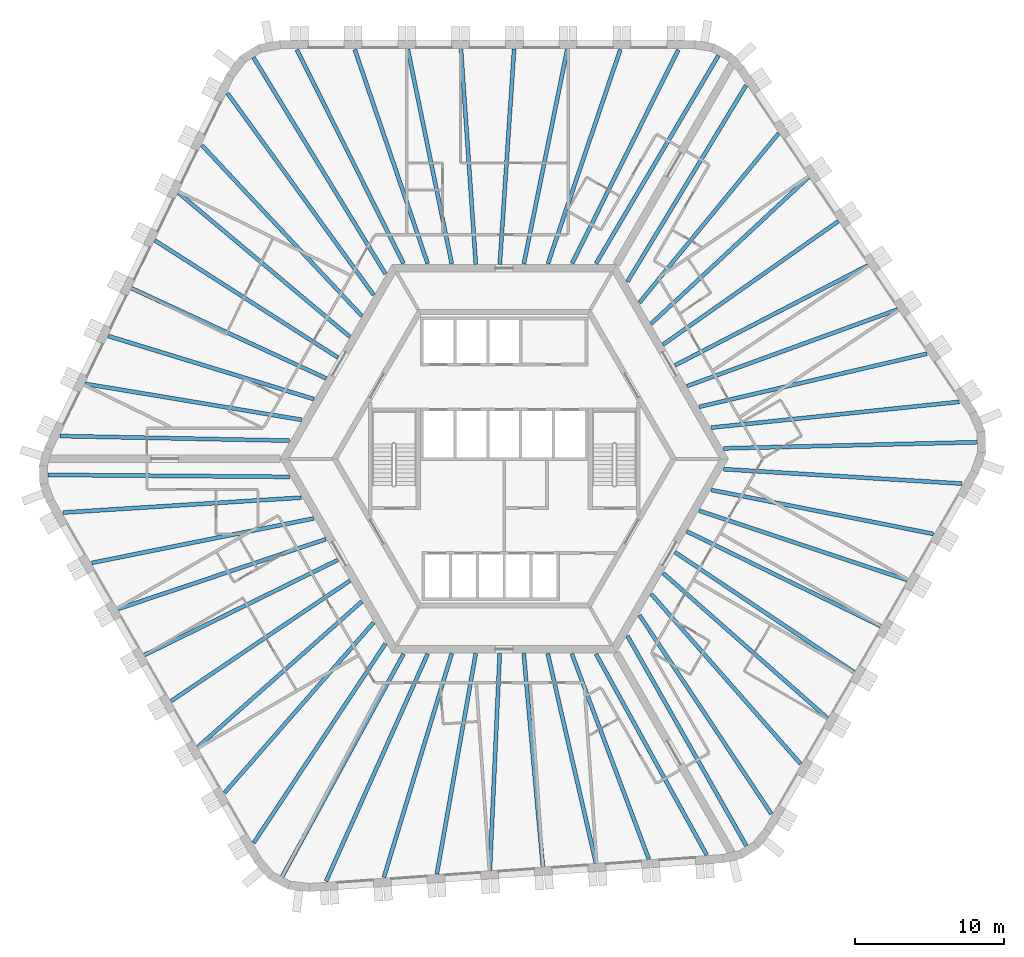
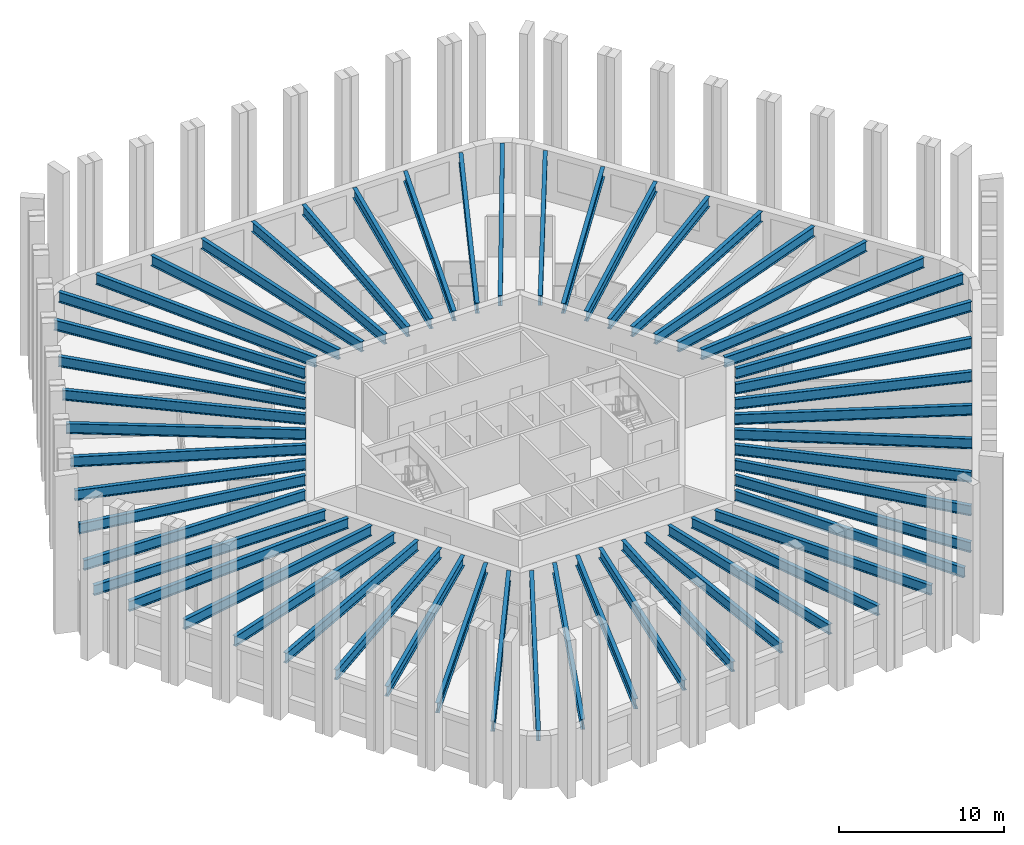
# One storey, part 1 of 10: 54 beams.
"""IFC4 building model written with IfcOpenShell, lengths in metres."""

from ifc_helpers import new_model, si_unit, direction, frame, origin, origin_2d, place, context, subcontext, project, spatial, i_section, extrude, material, material_profile, profile_set, type_object, element, save


model = new_model("IFC4")

# Units and contexts
model_context = context("Model", 3, precision=1e-05, world=origin(), true_north=direction((0.0, 1.0)))
body_context = subcontext(model_context, "Body", "Model", "MODEL_VIEW")
ifc_project = project(units=[si_unit("LENGTHUNIT", "METRE"), si_unit("AREAUNIT", "SQUARE_METRE"), si_unit("VOLUMEUNIT", "CUBIC_METRE"), si_unit("PLANEANGLEUNIT", "RADIAN"), si_unit("MASSUNIT", "GRAM", prefix="KILO")], contexts=[model_context])

# Site, building, storey
site_placement = place(None, origin())
site = spatial("IfcSite", under=ifc_project, at=site_placement, CompositionType="ELEMENT")
building_placement = place(site_placement, origin())
building = spatial("IfcBuilding", under=site, at=building_placement, Name="Tarnside Tower", CompositionType="ELEMENT")
storey_placement = place(building_placement, frame((0.0, 0.0, 195.60009765625)))
storey = spatial("IfcBuildingStorey", under=building, at=storey_placement, Name="L46", CompositionType="ELEMENT", Elevation=195.60009765625)

# Beams
ifc_material = material(Name="Steel S355", Category="steel")
ifc_material_profile_1 = material_profile(ifc_material, i_section(OverallWidth=0.26513671875, OverallDepth=0.75390625, WebThickness=0.0126953125, FlangeThickness=0.017578125, FilletRadius=0.0166015625, at=origin_2d()), Name="UB 762x267x147")
ifc_profile_set_1 = profile_set([ifc_material_profile_1], Name="Steel S355")
beam_type_1 = type_object("IfcBeamType", Name="Floor beam UB 762x267x147", PredefinedType="BEAM", material=ifc_profile_set_1)
beam_1_placement = place(storey_placement, frame((7.77001953125, 27.393310546875, 3.372802734375), z_axis=(-0.320362579778, -0.947295000239, 0.0), x_axis=(0.947295000239, -0.320362579778, 0.0)))
element("IfcBeam", 1, at=beam_1_placement, inside=storey, type_object=beam_type_1, Name="Floor beam F1.02", PredefinedType="BEAM", context=body_context, shape_type="SweptSolid", body=[
    extrude(i_section(OverallWidth=0.26513671875, OverallDepth=0.75390625, WebThickness=0.0126953125, FlangeThickness=0.017578125, FilletRadius=0.0166015625, at=origin_2d()), origin(), (0.0, 0.0, 1.0), 15.134033203125),
])
beam_2_placement = place(storey_placement, frame((4.218505859375, 27.410888671875, 3.372802734375), z_axis=(-0.19841777413, -0.980117537293, 0.0), x_axis=(0.980117537293, -0.19841777413, 0.0)))
element("IfcBeam", 2, at=beam_2_placement, inside=storey, type_object=beam_type_1, Name="Floor beam F1.03", PredefinedType="BEAM", context=body_context, shape_type="SweptSolid", body=[
    extrude(i_section(OverallWidth=0.26513671875, OverallDepth=0.75390625, WebThickness=0.0126953125, FlangeThickness=0.017578125, FilletRadius=0.0166015625, at=origin_2d()), origin(), (0.0, 0.0, 1.0), 14.6630859375),
])
beam_3_placement = place(storey_placement, frame((0.66259765625, 27.429931640625, 3.372802734375), z_axis=(-0.066554914868, -0.997782763585, 0.0), x_axis=(0.997782763585, -0.066554914868, 0.0)))
element("IfcBeam", 3, at=beam_3_placement, inside=storey, type_object=beam_type_1, Name="Floor beam F1.04", PredefinedType="BEAM", context=body_context, shape_type="SweptSolid", body=[
    extrude(i_section(OverallWidth=0.26513671875, OverallDepth=0.75390625, WebThickness=0.0126953125, FlangeThickness=0.017578125, FilletRadius=0.0166015625, at=origin_2d()), origin(), (0.0, 0.0, 1.0), 14.44189453125),
])
beam_4_placement = place(storey_placement, frame((-2.8974609375, 27.429931640625, 3.372802734375), z_axis=(0.068876921658, -0.997625164911, 0.0), x_axis=(0.997625164911, 0.068876921658, 0.0)))
element("IfcBeam", 4, at=beam_4_placement, inside=storey, type_object=beam_type_1, Name="Floor beam F1.05", PredefinedType="BEAM", context=body_context, shape_type="SweptSolid", body=[
    extrude(i_section(OverallWidth=0.26513671875, OverallDepth=0.75390625, WebThickness=0.0126953125, FlangeThickness=0.017578125, FilletRadius=0.0166015625, at=origin_2d()), origin(), (0.0, 0.0, 1.0), 14.4443359375),
])
beam_5_placement = place(storey_placement, frame((-6.45361328125, 27.410888671875, 3.372802734375), z_axis=(0.200623497398, -0.979668419564, 0.0), x_axis=(0.979668419564, 0.200623497398, 0.0)))
element("IfcBeam", 5, at=beam_5_placement, inside=storey, type_object=beam_type_1, Name="Floor beam F1.06", PredefinedType="BEAM", context=body_context, shape_type="SweptSolid", body=[
    extrude(i_section(OverallWidth=0.26513671875, OverallDepth=0.75390625, WebThickness=0.0126953125, FlangeThickness=0.017578125, FilletRadius=0.0166015625, at=origin_2d()), origin(), (0.0, 0.0, 1.0), 14.669921875),
])
beam_6_placement = place(storey_placement, frame((-10.0048828125, 27.393310546875, 3.372802734375), z_axis=(0.322343712034, -0.946622697442, 0.0), x_axis=(0.946622697442, 0.322343712034, 0.0)))
element("IfcBeam", 6, at=beam_6_placement, inside=storey, type_object=beam_type_1, Name="Floor beam F1.07", PredefinedType="BEAM", context=body_context, shape_type="SweptSolid", body=[
    extrude(i_section(OverallWidth=0.26513671875, OverallDepth=0.75390625, WebThickness=0.0126953125, FlangeThickness=0.017578125, FilletRadius=0.0166015625, at=origin_2d()), origin(), (0.0, 0.0, 1.0), 15.144775390625),
])
beam_7_placement = place(storey_placement, frame((-20.241455078125, 20.9892578125, 3.372802734375), z_axis=(0.683752330283, -0.729714156936, 0.0), x_axis=(0.729714156936, 0.683752330283, 0.0)))
element("IfcBeam", 7, at=beam_7_placement, inside=storey, type_object=beam_type_1, Name="Floor beam F2.02", PredefinedType="BEAM", context=body_context, shape_type="SweptSolid", body=[
    extrude(i_section(OverallWidth=0.26513671875, OverallDepth=0.75390625, WebThickness=0.0126953125, FlangeThickness=0.017578125, FilletRadius=0.0166015625, at=origin_2d()), origin(), (0.0, 0.0, 1.0), 15.6591796875),
])
beam_8_placement = place(storey_placement, frame((-21.81396484375, 17.80419921875, 3.372802734375), z_axis=(0.765948461073, -0.642901979294, 0.0), x_axis=(0.642901979294, 0.765948461073, 0.0)))
element("IfcBeam", 8, at=beam_8_placement, inside=storey, type_object=beam_type_1, Name="Floor beam F2.03", PredefinedType="BEAM", context=body_context, shape_type="SweptSolid", body=[
    extrude(i_section(OverallWidth=0.26513671875, OverallDepth=0.75390625, WebThickness=0.0126953125, FlangeThickness=0.017578125, FilletRadius=0.0166015625, at=origin_2d()), origin(), (0.0, 0.0, 1.0), 14.982177734375),
])
beam_9_placement = place(storey_placement, frame((-23.389892578125, 14.616455078125, 3.372802734375), z_axis=(0.842378275633, -0.538886667808, 0.0), x_axis=(0.538886667808, 0.842378275633, 0.0)))
element("IfcBeam", 9, at=beam_9_placement, inside=storey, type_object=beam_type_1, Name="Floor beam F2.04", PredefinedType="BEAM", context=body_context, shape_type="SweptSolid", body=[
    extrude(i_section(OverallWidth=0.26513671875, OverallDepth=0.75390625, WebThickness=0.0126953125, FlangeThickness=0.017578125, FilletRadius=0.0166015625, at=origin_2d()), origin(), (0.0, 0.0, 1.0), 14.5595703125),
])
beam_10_placement = place(storey_placement, frame((-24.9501953125, 11.416748046875, 3.372802734375), z_axis=(0.907310131748, -0.420462037321, 0.0), x_axis=(0.420462037321, 0.907310131748, 0.0)))
element("IfcBeam", 10, at=beam_10_placement, inside=storey, type_object=beam_type_1, Name="Floor beam F2.05", PredefinedType="BEAM", context=body_context, shape_type="SweptSolid", body=[
    extrude(i_section(OverallWidth=0.26513671875, OverallDepth=0.75390625, WebThickness=0.0126953125, FlangeThickness=0.017578125, FilletRadius=0.0166015625, at=origin_2d()), origin(), (0.0, 0.0, 1.0), 14.353515625),
])
beam_11_placement = place(storey_placement, frame((-26.510986328125, 8.2177734375, 3.372802734375), z_axis=(0.956073348261, -0.293127536654, 0.0), x_axis=(0.293127536654, 0.956073348261, 0.0)))
element("IfcBeam", 11, at=beam_11_placement, inside=storey, type_object=beam_type_1, Name="Floor beam F2.06", PredefinedType="BEAM", context=body_context, shape_type="SweptSolid", body=[
    extrude(i_section(OverallWidth=0.26513671875, OverallDepth=0.75390625, WebThickness=0.0126953125, FlangeThickness=0.017578125, FilletRadius=0.0166015625, at=origin_2d()), origin(), (0.0, 0.0, 1.0), 14.3955078125),
])
beam_12_placement = place(storey_placement, frame((-28.0517578125, 5.015869140625, 3.372802734375), z_axis=(0.986476498304, -0.163902770858, 0.0), x_axis=(0.163902770858, 0.986476498304, 0.0)))
element("IfcBeam", 12, at=beam_12_placement, inside=storey, type_object=beam_type_1, Name="Floor beam F2.07", PredefinedType="BEAM", context=body_context, shape_type="SweptSolid", body=[
    extrude(i_section(OverallWidth=0.26513671875, OverallDepth=0.75390625, WebThickness=0.0126953125, FlangeThickness=0.017578125, FilletRadius=0.0166015625, at=origin_2d()), origin(), (0.0, 0.0, 1.0), 14.680908203125),
])
beam_13_placement = place(storey_placement, frame((-29.73828125, 1.521484375, 3.372802734375), z_axis=(0.999800142641, -0.019991867701, 0.0), x_axis=(0.019991867701, 0.999800142641, 0.0)))
element("IfcBeam", 13, at=beam_13_placement, inside=storey, type_object=beam_type_1, Name="Floor beam F2.08", PredefinedType="BEAM", context=body_context, shape_type="SweptSolid", body=[
    extrude(i_section(OverallWidth=0.26513671875, OverallDepth=0.75390625, WebThickness=0.0126953125, FlangeThickness=0.017578125, FilletRadius=0.0166015625, at=origin_2d()), origin(), (0.0, 0.0, 1.0), 15.3505859375),
])
beam_14_placement = place(storey_placement, frame((-27.608154296875, -6.967529296875, 3.372802734375), z_axis=(0.980564540422, 0.196196794232, 0.0), x_axis=(-0.196196794232, 0.980564540422, 0.0)))
element("IfcBeam", 14, at=beam_14_placement, inside=storey, type_object=beam_type_1, Name="Floor beam F3.02", PredefinedType="BEAM", context=body_context, shape_type="SweptSolid", body=[
    extrude(i_section(OverallWidth=0.26513671875, OverallDepth=0.75390625, WebThickness=0.0126953125, FlangeThickness=0.017578125, FilletRadius=0.0166015625, at=origin_2d()), origin(), (0.0, 0.0, 1.0), 15.134033203125),
])
beam_15_placement = place(storey_placement, frame((-25.84765625, -10.052001953125, 3.372802734375), z_axis=(0.948011835322, 0.31823507049, 0.0), x_axis=(-0.31823507049, 0.948011835322, 0.0)))
element("IfcBeam", 15, at=beam_15_placement, inside=storey, type_object=beam_type_1, Name="Floor beam F3.03", PredefinedType="BEAM", context=body_context, shape_type="SweptSolid", body=[
    extrude(i_section(OverallWidth=0.26513671875, OverallDepth=0.75390625, WebThickness=0.0126953125, FlangeThickness=0.017578125, FilletRadius=0.0166015625, at=origin_2d()), origin(), (0.0, 0.0, 1.0), 14.662841796875),
])
beam_16_placement = place(storey_placement, frame((-24.086181640625, -13.141357421875, 3.372802734375), z_axis=(0.897375974806, 0.441266767206, 0.0), x_axis=(-0.441266767206, 0.897375974806, 0.0)))
element("IfcBeam", 16, at=beam_16_placement, inside=storey, type_object=beam_type_1, Name="Floor beam F3.04", PredefinedType="BEAM", context=body_context, shape_type="SweptSolid", body=[
    extrude(i_section(OverallWidth=0.26513671875, OverallDepth=0.75390625, WebThickness=0.0126953125, FlangeThickness=0.017578125, FilletRadius=0.0166015625, at=origin_2d()), origin(), (0.0, 0.0, 1.0), 14.442138671875),
])
beam_17_placement = place(storey_placement, frame((-22.306396484375, -16.224365234375, 3.372802734375), z_axis=(0.829532486243, 0.558458462437, 0.0), x_axis=(-0.558458462437, 0.829532486243, 0.0)))
element("IfcBeam", 17, at=beam_17_placement, inside=storey, type_object=beam_type_1, Name="Floor beam F3.05", PredefinedType="BEAM", context=body_context, shape_type="SweptSolid", body=[
    extrude(i_section(OverallWidth=0.26513671875, OverallDepth=0.75390625, WebThickness=0.0126953125, FlangeThickness=0.017578125, FilletRadius=0.0166015625, at=origin_2d()), origin(), (0.0, 0.0, 1.0), 14.444580078125),
])
beam_18_placement = place(storey_placement, frame((-20.51171875, -19.294189453125, 3.372802734375), z_axis=(0.74811408094, 0.663570133369, 0.0), x_axis=(-0.663570133369, 0.74811408094, 0.0)))
element("IfcBeam", 18, at=beam_18_placement, inside=storey, type_object=beam_type_1, Name="Floor beam F3.06", PredefinedType="BEAM", context=body_context, shape_type="SweptSolid", body=[
    extrude(i_section(OverallWidth=0.26513671875, OverallDepth=0.75390625, WebThickness=0.0126953125, FlangeThickness=0.017578125, FilletRadius=0.0166015625, at=origin_2d()), origin(), (0.0, 0.0, 1.0), 14.669677734375),
])
beam_19_placement = place(storey_placement, frame((-18.720703125, -22.361083984375, 3.372802734375), z_axis=(0.658621010302, 0.752474826681, 0.0), x_axis=(-0.752474826681, 0.658621010302, 0.0)))
element("IfcBeam", 19, at=beam_19_placement, inside=storey, type_object=beam_type_1, Name="Floor beam F3.07", PredefinedType="BEAM", context=body_context, shape_type="SweptSolid", body=[
    extrude(i_section(OverallWidth=0.26513671875, OverallDepth=0.75390625, WebThickness=0.0126953125, FlangeThickness=0.017578125, FilletRadius=0.0166015625, at=origin_2d()), origin(), (0.0, 0.0, 1.0), 15.144775390625),
])
beam_20_placement = place(storey_placement, frame((-8.056396484375, -28.024169921875, 3.372802734375), z_axis=(0.290070138838, 0.957005388989, 0.0), x_axis=(-0.957005388989, 0.290070138838, 0.0)))
element("IfcBeam", 20, at=beam_20_placement, inside=storey, type_object=beam_type_1, Name="Floor beam F4.02", PredefinedType="BEAM", context=body_context, shape_type="SweptSolid", body=[
    extrude(i_section(OverallWidth=0.26513671875, OverallDepth=0.75390625, WebThickness=0.0126953125, FlangeThickness=0.017578125, FilletRadius=0.0166015625, at=origin_2d()), origin(), (0.0, 0.0, 1.0), 15.6591796875),
])
beam_21_placement = place(storey_placement, frame((-4.511962890625, -27.793701171875, 3.372802734375), z_axis=(0.173788122681, 0.984783066678, 0.0), x_axis=(-0.984783066678, 0.173788122681, 0.0)))
element("IfcBeam", 21, at=beam_21_placement, inside=storey, type_object=beam_type_1, Name="Floor beam F4.03", PredefinedType="BEAM", context=body_context, shape_type="SweptSolid", body=[
    extrude(i_section(OverallWidth=0.26513671875, OverallDepth=0.75390625, WebThickness=0.0126953125, FlangeThickness=0.017578125, FilletRadius=0.0166015625, at=origin_2d()), origin(), (0.0, 0.0, 1.0), 14.982421875),
])
beam_22_placement = place(storey_placement, frame((-0.96337890625, -27.564453125, 3.372802734375), z_axis=(0.045509585226, 0.998963902077, 0.0), x_axis=(-0.998963902077, 0.045509585226, 0.0)))
element("IfcBeam", 22, at=beam_22_placement, inside=storey, type_object=beam_type_1, Name="Floor beam F4.04", PredefinedType="BEAM", context=body_context, shape_type="SweptSolid", body=[
    extrude(i_section(OverallWidth=0.26513671875, OverallDepth=0.75390625, WebThickness=0.0126953125, FlangeThickness=0.017578125, FilletRadius=0.0166015625, at=origin_2d()), origin(), (0.0, 0.0, 1.0), 14.5595703125),
])
beam_23_placement = place(storey_placement, frame((2.587890625, -27.31591796875, 3.372802734375), z_axis=(-0.089518916897, 0.995985122137, 0.0), x_axis=(-0.995985122137, -0.089518916897, 0.0)))
element("IfcBeam", 23, at=beam_23_placement, inside=storey, type_object=beam_type_1, Name="Floor beam F4.05", PredefinedType="BEAM", context=body_context, shape_type="SweptSolid", body=[
    extrude(i_section(OverallWidth=0.26513671875, OverallDepth=0.75390625, WebThickness=0.0126953125, FlangeThickness=0.017578125, FilletRadius=0.0166015625, at=origin_2d()), origin(), (0.0, 0.0, 1.0), 14.353515625),
])
beam_24_placement = place(storey_placement, frame((6.138671875, -27.068115234375, 3.372802734375), z_axis=(-0.224188122435, 0.974545886944, 0.0), x_axis=(-0.974545886944, -0.224188122435, 0.0)))
element("IfcBeam", 24, at=beam_24_placement, inside=storey, type_object=beam_type_1, Name="Floor beam F4.06", PredefinedType="BEAM", context=body_context, shape_type="SweptSolid", body=[
    extrude(i_section(OverallWidth=0.26513671875, OverallDepth=0.75390625, WebThickness=0.0126953125, FlangeThickness=0.017578125, FilletRadius=0.0166015625, at=origin_2d()), origin(), (0.0, 0.0, 1.0), 14.3955078125),
])
beam_25_placement = place(storey_placement, frame((9.681884765625, -26.801513671875, 3.372802734375), z_axis=(-0.351271055087, 0.936273809234, 0.0), x_axis=(-0.936273809234, -0.351271055087, 0.0)))
element("IfcBeam", 25, at=beam_25_placement, inside=storey, type_object=beam_type_1, Name="Floor beam F4.07", PredefinedType="BEAM", context=body_context, shape_type="SweptSolid", body=[
    extrude(i_section(OverallWidth=0.26513671875, OverallDepth=0.75390625, WebThickness=0.0126953125, FlangeThickness=0.017578125, FilletRadius=0.0166015625, at=origin_2d()), origin(), (0.0, 0.0, 1.0), 14.680908203125),
])
beam_26_placement = place(storey_placement, frame((13.551513671875, -26.514892578125, 3.372802734375), z_axis=(-0.482584088089, 0.875849643445, 0.0), x_axis=(-0.875849643445, -0.482584088089, 0.0)))
element("IfcBeam", 26, at=beam_26_placement, inside=storey, type_object=beam_type_1, Name="Floor beam F4.08", PredefinedType="BEAM", context=body_context, shape_type="SweptSolid", body=[
    extrude(i_section(OverallWidth=0.26513671875, OverallDepth=0.75390625, WebThickness=0.0126953125, FlangeThickness=0.017578125, FilletRadius=0.0166015625, at=origin_2d()), origin(), (0.0, 0.0, 1.0), 15.3505859375),
])
beam_27_placement = place(storey_placement, frame((19.838134765625, -20.425537109375, 3.372802734375), z_axis=(-0.660201214512, 0.751088780609, 0.0), x_axis=(-0.751088780609, -0.660201214512, 0.0)))
element("IfcBeam", 27, at=beam_27_placement, inside=storey, type_object=beam_type_1, Name="Floor beam F5.02", PredefinedType="BEAM", context=body_context, shape_type="SweptSolid", body=[
    extrude(i_section(OverallWidth=0.26513671875, OverallDepth=0.75390625, WebThickness=0.0126953125, FlangeThickness=0.017578125, FilletRadius=0.0166015625, at=origin_2d()), origin(), (0.0, 0.0, 1.0), 15.134033203125),
])
beam_28_placement = place(storey_placement, frame((21.629150390625, -17.358642578125, 3.372802734375), z_axis=(-0.749601662028, 0.661889226597, 0.0), x_axis=(-0.661889226597, -0.749601662028, 0.0)))
element("IfcBeam", 28, at=beam_28_placement, inside=storey, type_object=beam_type_1, Name="Floor beam F5.03", PredefinedType="BEAM", context=body_context, shape_type="SweptSolid", body=[
    extrude(i_section(OverallWidth=0.26513671875, OverallDepth=0.75390625, WebThickness=0.0126953125, FlangeThickness=0.017578125, FilletRadius=0.0166015625, at=origin_2d()), origin(), (0.0, 0.0, 1.0), 14.6630859375),
])
beam_29_placement = place(storey_placement, frame((23.423828125, -14.288818359375, 3.372802734375), z_axis=(-0.830825943553, 0.556532345439, 0.0), x_axis=(-0.556532345439, -0.830825943553, 0.0)))
element("IfcBeam", 29, at=beam_29_placement, inside=storey, type_object=beam_type_1, Name="Floor beam F5.04", PredefinedType="BEAM", context=body_context, shape_type="SweptSolid", body=[
    extrude(i_section(OverallWidth=0.26513671875, OverallDepth=0.75390625, WebThickness=0.0126953125, FlangeThickness=0.017578125, FilletRadius=0.0166015625, at=origin_2d()), origin(), (0.0, 0.0, 1.0), 14.4423828125),
])
beam_30_placement = place(storey_placement, frame((25.203857421875, -11.205810546875, 3.372802734375), z_axis=(-0.898407034897, 0.43916375038, 0.0), x_axis=(-0.43916375038, -0.898407034897, 0.0)))
element("IfcBeam", 30, at=beam_30_placement, inside=storey, type_object=beam_type_1, Name="Floor beam F5.05", PredefinedType="BEAM", context=body_context, shape_type="SweptSolid", body=[
    extrude(i_section(OverallWidth=0.26513671875, OverallDepth=0.75390625, WebThickness=0.0126953125, FlangeThickness=0.017578125, FilletRadius=0.0166015625, at=origin_2d()), origin(), (0.0, 0.0, 1.0), 14.444580078125),
])
beam_31_placement = place(storey_placement, frame((26.965087890625, -8.116455078125, 3.372802734375), z_axis=(-0.948728223501, 0.31609295774, 0.0), x_axis=(-0.31609295774, -0.948728223501, 0.0)))
element("IfcBeam", 31, at=beam_31_placement, inside=storey, type_object=beam_type_1, Name="Floor beam F5.06", PredefinedType="BEAM", context=body_context, shape_type="SweptSolid", body=[
    extrude(i_section(OverallWidth=0.26513671875, OverallDepth=0.75390625, WebThickness=0.0126953125, FlangeThickness=0.017578125, FilletRadius=0.0166015625, at=origin_2d()), origin(), (0.0, 0.0, 1.0), 14.669677734375),
])
beam_32_placement = place(storey_placement, frame((28.7255859375, -5.031982421875, 3.372802734375), z_axis=(-0.980974250646, 0.194137888034, 0.0), x_axis=(-0.194137888034, -0.980974250646, 0.0)))
element("IfcBeam", 32, at=beam_32_placement, inside=storey, type_object=beam_type_1, Name="Floor beam F5.07", PredefinedType="BEAM", context=body_context, shape_type="SweptSolid", body=[
    extrude(i_section(OverallWidth=0.26513671875, OverallDepth=0.75390625, WebThickness=0.0126953125, FlangeThickness=0.017578125, FilletRadius=0.0166015625, at=origin_2d()), origin(), (0.0, 0.0, 1.0), 15.144775390625),
])
beam_33_placement = place(storey_placement, frame((28.2978515625, 7.034912109375, 3.372802734375), z_axis=(-0.973828212928, -0.227285309042, 0.0), x_axis=(0.227285309042, -0.973828212928, 0.0)))
element("IfcBeam", 33, at=beam_33_placement, inside=storey, type_object=beam_type_1, Name="Floor beam F6.02", PredefinedType="BEAM", context=body_context, shape_type="SweptSolid", body=[
    extrude(i_section(OverallWidth=0.26513671875, OverallDepth=0.75390625, WebThickness=0.0126953125, FlangeThickness=0.017578125, FilletRadius=0.0166015625, at=origin_2d()), origin(), (0.0, 0.0, 1.0), 15.6591796875),
])
beam_34_placement = place(storey_placement, frame((26.325927734375, 9.989501953125, 3.372802734375), z_axis=(-0.939738697004, -0.341893523415, 0.0), x_axis=(0.341893523415, -0.939738697004, 0.0)))
element("IfcBeam", 34, at=beam_34_placement, inside=storey, type_object=beam_type_1, Name="Floor beam F6.03", PredefinedType="BEAM", context=body_context, shape_type="SweptSolid", body=[
    extrude(i_section(OverallWidth=0.26513671875, OverallDepth=0.75390625, WebThickness=0.0126953125, FlangeThickness=0.017578125, FilletRadius=0.0166015625, at=origin_2d()), origin(), (0.0, 0.0, 1.0), 14.982177734375),
])
beam_35_placement = place(storey_placement, frame((24.353271484375, 12.947998046875, 3.372802734375), z_axis=(-0.887881646639, -0.460071930856, 0.0), x_axis=(0.460071930856, -0.887881646639, 0.0)))
element("IfcBeam", 35, at=beam_35_placement, inside=storey, type_object=beam_type_1, Name="Floor beam F6.04", PredefinedType="BEAM", context=body_context, shape_type="SweptSolid", body=[
    extrude(i_section(OverallWidth=0.26513671875, OverallDepth=0.75390625, WebThickness=0.0126953125, FlangeThickness=0.017578125, FilletRadius=0.0166015625, at=origin_2d()), origin(), (0.0, 0.0, 1.0), 14.5595703125),
])
beam_36_placement = place(storey_placement, frame((22.3623046875, 15.899169921875, 3.372802734375), z_axis=(-0.817791001708, -0.575515314762, 0.0), x_axis=(0.575515314762, -0.817791001708, 0.0)))
element("IfcBeam", 36, at=beam_36_placement, inside=storey, type_object=beam_type_1, Name="Floor beam F6.05", PredefinedType="BEAM", context=body_context, shape_type="SweptSolid", body=[
    extrude(i_section(OverallWidth=0.26513671875, OverallDepth=0.75390625, WebThickness=0.0126953125, FlangeThickness=0.017578125, FilletRadius=0.0166015625, at=origin_2d()), origin(), (0.0, 0.0, 1.0), 14.353759765625),
])
beam_37_placement = place(storey_placement, frame((20.372314453125, 18.850341796875, 3.372802734375), z_axis=(-0.731892224456, -0.681420407517, 0.0), x_axis=(0.681420407517, -0.731892224456, 0.0)))
element("IfcBeam", 37, at=beam_37_placement, inside=storey, type_object=beam_type_1, Name="Floor beam F6.06", PredefinedType="BEAM", context=body_context, shape_type="SweptSolid", body=[
    extrude(i_section(OverallWidth=0.26513671875, OverallDepth=0.75390625, WebThickness=0.0126953125, FlangeThickness=0.017578125, FilletRadius=0.0166015625, at=origin_2d()), origin(), (0.0, 0.0, 1.0), 14.3955078125),
])
beam_38_placement = place(storey_placement, frame((18.369873046875, 21.78564453125, 3.372802734375), z_axis=(-0.635191827457, -0.772354414975, 0.0), x_axis=(0.772354414975, -0.635191827457, 0.0)))
element("IfcBeam", 38, at=beam_38_placement, inside=storey, type_object=beam_type_1, Name="Floor beam F6.07", PredefinedType="BEAM", context=body_context, shape_type="SweptSolid", body=[
    extrude(i_section(OverallWidth=0.26513671875, OverallDepth=0.75390625, WebThickness=0.0126953125, FlangeThickness=0.017578125, FilletRadius=0.0166015625, at=origin_2d()), origin(), (0.0, 0.0, 1.0), 14.680908203125),
])
beam_39_placement = place(storey_placement, frame((16.186767578125, 24.993408203125, 3.372802734375), z_axis=(-0.517208605106, -0.855859368591, 0.0), x_axis=(0.855859368591, -0.517208605106, 0.0)))
element("IfcBeam", 39, at=beam_39_placement, inside=storey, type_object=beam_type_1, Name="Floor beam F6.08", PredefinedType="BEAM", context=body_context, shape_type="SweptSolid", body=[
    extrude(i_section(OverallWidth=0.26513671875, OverallDepth=0.75390625, WebThickness=0.0126953125, FlangeThickness=0.017578125, FilletRadius=0.0166015625, at=origin_2d()), origin(), (0.0, 0.0, 1.0), 15.3505859375),
])
ifc_material_profile_2 = material_profile(ifc_material, i_section(OverallWidth=0.2666015625, OverallDepth=0.76220703125, WebThickness=0.014404296875, FlangeThickness=0.021484375, FilletRadius=0.0166015625, at=origin_2d()), Name="UB 762x267x173")
ifc_profile_set_2 = profile_set([ifc_material_profile_2], Name="Steel S355")
beam_type_2 = type_object("IfcBeamType", Name="Floor beam UB 762x267x173", PredefinedType="BEAM", material=ifc_profile_set_2)
beam_40_placement = place(storey_placement, frame((11.6494140625, 27.37841796875, 3.368896484375), z_axis=(-0.445042310328, -0.895509543231, 0.0), x_axis=(0.895509543231, -0.445042310328, 0.0)))
element("IfcBeam", 40, at=beam_40_placement, inside=storey, type_object=beam_type_2, Name="Floor beam F1.01", PredefinedType="BEAM", context=body_context, shape_type="SweptSolid", body=[
    extrude(i_section(OverallWidth=0.2666015625, OverallDepth=0.76220703125, WebThickness=0.014404296875, FlangeThickness=0.021484375, FilletRadius=0.0166015625, at=origin_2d()), origin(), (0.0, 0.0, 1.0), 15.976318359375),
])
beam_41_placement = place(storey_placement, frame((-13.884521484375, 27.37841796875, 3.368896484375), z_axis=(0.44673108957, -0.894668281326, 0.0), x_axis=(0.894668281326, 0.44673108957, 0.0)))
element("IfcBeam", 41, at=beam_41_placement, inside=storey, type_object=beam_type_2, Name="Floor beam F1.08", PredefinedType="BEAM", context=body_context, shape_type="SweptSolid", body=[
    extrude(i_section(OverallWidth=0.2666015625, OverallDepth=0.76220703125, WebThickness=0.014404296875, FlangeThickness=0.021484375, FilletRadius=0.0166015625, at=origin_2d()), origin(), (0.0, 0.0, 1.0), 15.9912109375),
])
beam_42_placement = place(storey_placement, frame((-16.79345703125, 26.86962890625, 3.368896484375), z_axis=(0.520940467881, -0.853593011291, 0.0), x_axis=(0.853593011291, 0.520940467881, 0.0)))
element("IfcBeam", 42, at=beam_42_placement, inside=storey, type_object=beam_type_2, Name="Floor beam C1", PredefinedType="BEAM", context=body_context, shape_type="SweptSolid", body=[
    extrude(i_section(OverallWidth=0.2666015625, OverallDepth=0.76220703125, WebThickness=0.014404296875, FlangeThickness=0.021484375, FilletRadius=0.0166015625, at=origin_2d()), origin(), (0.0, 0.0, 1.0), 16.980712890625),
])
beam_43_placement = place(storey_placement, frame((-18.52685546875, 24.471435546875, 3.368896484375), z_axis=(0.586791943415, -0.80973774467, 0.0), x_axis=(0.80973774467, 0.586791943415, 0.0)))
element("IfcBeam", 43, at=beam_43_placement, inside=storey, type_object=beam_type_2, Name="Floor beam F2.01", PredefinedType="BEAM", context=body_context, shape_type="SweptSolid", body=[
    extrude(i_section(OverallWidth=0.2666015625, OverallDepth=0.76220703125, WebThickness=0.014404296875, FlangeThickness=0.021484375, FilletRadius=0.0166015625, at=origin_2d()), origin(), (0.0, 0.0, 1.0), 16.67578125),
])
beam_44_placement = place(storey_placement, frame((-30.543212890625, -1.079345703125, 3.368896484375), z_axis=(0.999966072652, -0.008237326324, 0.0), x_axis=(0.008237326324, 0.999966072652, 0.0)))
element("IfcBeam", 44, at=beam_44_placement, inside=storey, type_object=beam_type_2, Name="Floor beam C2", PredefinedType="BEAM", context=body_context, shape_type="SweptSolid", body=[
    extrude(i_section(OverallWidth=0.2666015625, OverallDepth=0.76220703125, WebThickness=0.014404296875, FlangeThickness=0.021484375, FilletRadius=0.0166015625, at=origin_2d()), origin(), (0.0, 0.0, 1.0), 16.15283203125),
])
beam_45_placement = place(storey_placement, frame((-29.534912109375, -3.6005859375, 3.368896484375), z_axis=(0.99805531279, 0.062334521832, 0.0), x_axis=(-0.062334521832, 0.99805531279, 0.0)))
element("IfcBeam", 45, at=beam_45_placement, inside=storey, type_object=beam_type_2, Name="Floor beam F3.01", PredefinedType="BEAM", context=body_context, shape_type="SweptSolid", body=[
    extrude(i_section(OverallWidth=0.2666015625, OverallDepth=0.76220703125, WebThickness=0.014404296875, FlangeThickness=0.021484375, FilletRadius=0.0166015625, at=origin_2d()), origin(), (0.0, 0.0, 1.0), 15.975830078125),
])
beam_46_placement = place(storey_placement, frame((-16.768310546875, -25.71337890625, 3.368896484375), z_axis=(0.551447600123, 0.834209532623, 0.0), x_axis=(-0.834209532623, 0.551447600123, 0.0)))
element("IfcBeam", 46, at=beam_46_placement, inside=storey, type_object=beam_type_2, Name="Floor beam F3.08", PredefinedType="BEAM", context=body_context, shape_type="SweptSolid", body=[
    extrude(i_section(OverallWidth=0.2666015625, OverallDepth=0.76220703125, WebThickness=0.014404296875, FlangeThickness=0.021484375, FilletRadius=0.0166015625, at=origin_2d()), origin(), (0.0, 0.0, 1.0), 15.9912109375),
])
beam_47_placement = place(storey_placement, frame((-14.873046875, -27.978515625, 3.368896484375), z_axis=(0.478767512404, 0.877941723047, 0.0), x_axis=(-0.877941723047, 0.478767512404, 0.0)))
element("IfcBeam", 47, at=beam_47_placement, inside=storey, type_object=beam_type_2, Name="Floor beam C3", PredefinedType="BEAM", context=body_context, shape_type="SweptSolid", body=[
    extrude(i_section(OverallWidth=0.2666015625, OverallDepth=0.76220703125, WebThickness=0.014404296875, FlangeThickness=0.021484375, FilletRadius=0.0166015625, at=origin_2d()), origin(), (0.0, 0.0, 1.0), 16.98095703125),
])
beam_48_placement = place(storey_placement, frame((-11.929443359375, -28.280517578125, 3.368896484375), z_axis=(0.407852035629, 0.913048036542, 0.0), x_axis=(-0.913048036542, 0.407852035629, 0.0)))
element("IfcBeam", 48, at=beam_48_placement, inside=storey, type_object=beam_type_2, Name="Floor beam F4.01", PredefinedType="BEAM", context=body_context, shape_type="SweptSolid", body=[
    extrude(i_section(OverallWidth=0.2666015625, OverallDepth=0.76220703125, WebThickness=0.014404296875, FlangeThickness=0.021484375, FilletRadius=0.0166015625, at=origin_2d()), origin(), (0.0, 0.0, 1.0), 16.67578125),
])
beam_49_placement = place(storey_placement, frame((16.206298828125, -25.91162109375, 3.368896484375), z_axis=(-0.492847437034, 0.870115741616, 0.0), x_axis=(-0.870115741616, -0.492847437034, 0.0)))
element("IfcBeam", 49, at=beam_49_placement, inside=storey, type_object=beam_type_2, Name="Floor beam C4", PredefinedType="BEAM", context=body_context, shape_type="SweptSolid", body=[
    extrude(i_section(OverallWidth=0.2666015625, OverallDepth=0.76220703125, WebThickness=0.014404296875, FlangeThickness=0.021484375, FilletRadius=0.0166015625, at=origin_2d()), origin(), (0.0, 0.0, 1.0), 16.15283203125),
])
beam_50_placement = place(storey_placement, frame((17.8857421875, -23.77783203125, 3.368896484375), z_axis=(-0.553013371197, 0.833172377889, 0.0), x_axis=(-0.833172377889, -0.553013371197, 0.0)))
element("IfcBeam", 50, at=beam_50_placement, inside=storey, type_object=beam_type_2, Name="Floor beam F5.01", PredefinedType="BEAM", context=body_context, shape_type="SweptSolid", body=[
    extrude(i_section(OverallWidth=0.2666015625, OverallDepth=0.76220703125, WebThickness=0.014404296875, FlangeThickness=0.021484375, FilletRadius=0.0166015625, at=origin_2d()), origin(), (0.0, 0.0, 1.0), 15.97607421875),
])
beam_51_placement = place(storey_placement, frame((30.652587890625, -1.6650390625, 3.368896484375), z_axis=(-0.998170730858, 0.060458184371, 0.0), x_axis=(-0.060458184371, -0.998170730858, 0.0)))
element("IfcBeam", 51, at=beam_51_placement, inside=storey, type_object=beam_type_2, Name="Floor beam F5.08", PredefinedType="BEAM", context=body_context, shape_type="SweptSolid", body=[
    extrude(i_section(OverallWidth=0.2666015625, OverallDepth=0.76220703125, WebThickness=0.014404296875, FlangeThickness=0.021484375, FilletRadius=0.0166015625, at=origin_2d()), origin(), (0.0, 0.0, 1.0), 15.9912109375),
])
beam_52_placement = place(storey_placement, frame((31.66650390625, 1.108642578125, 3.368896484375), z_axis=(-0.999703706976, -0.024341287118, 0.0), x_axis=(0.024341287118, -0.999703706976, 0.0)))
element("IfcBeam", 52, at=beam_52_placement, inside=storey, type_object=beam_type_2, Name="Floor beam C5", PredefinedType="BEAM", context=body_context, shape_type="SweptSolid", body=[
    extrude(i_section(OverallWidth=0.2666015625, OverallDepth=0.76220703125, WebThickness=0.014404296875, FlangeThickness=0.021484375, FilletRadius=0.0166015625, at=origin_2d()), origin(), (0.0, 0.0, 1.0), 16.980712890625),
])
beam_53_placement = place(storey_placement, frame((30.456298828125, 3.80908203125, 3.368896484375), z_axis=(-0.994648352349, -0.103318222829, 0.0), x_axis=(0.103318222829, -0.994648352349, 0.0)))
element("IfcBeam", 53, at=beam_53_placement, inside=storey, type_object=beam_type_2, Name="Floor beam F6.01", PredefinedType="BEAM", context=body_context, shape_type="SweptSolid", body=[
    extrude(i_section(OverallWidth=0.2666015625, OverallDepth=0.76220703125, WebThickness=0.014404296875, FlangeThickness=0.021484375, FilletRadius=0.0166015625, at=origin_2d()), origin(), (0.0, 0.0, 1.0), 16.67578125),
])
beam_54_placement = place(storey_placement, frame((14.3369140625, 26.990966796875, 3.368896484375), z_axis=(-0.507115238706, -0.861878259775, 0.0), x_axis=(0.861878259775, -0.507115238706, 0.0)))
element("IfcBeam", 54, at=beam_54_placement, inside=storey, type_object=beam_type_2, Name="Floor beam C6", PredefinedType="BEAM", context=body_context, shape_type="SweptSolid", body=[
    extrude(i_section(OverallWidth=0.2666015625, OverallDepth=0.76220703125, WebThickness=0.014404296875, FlangeThickness=0.021484375, FilletRadius=0.0166015625, at=origin_2d()), origin(), (0.0, 0.0, 1.0), 16.15283203125),
])

save(model, "model.ifc")
